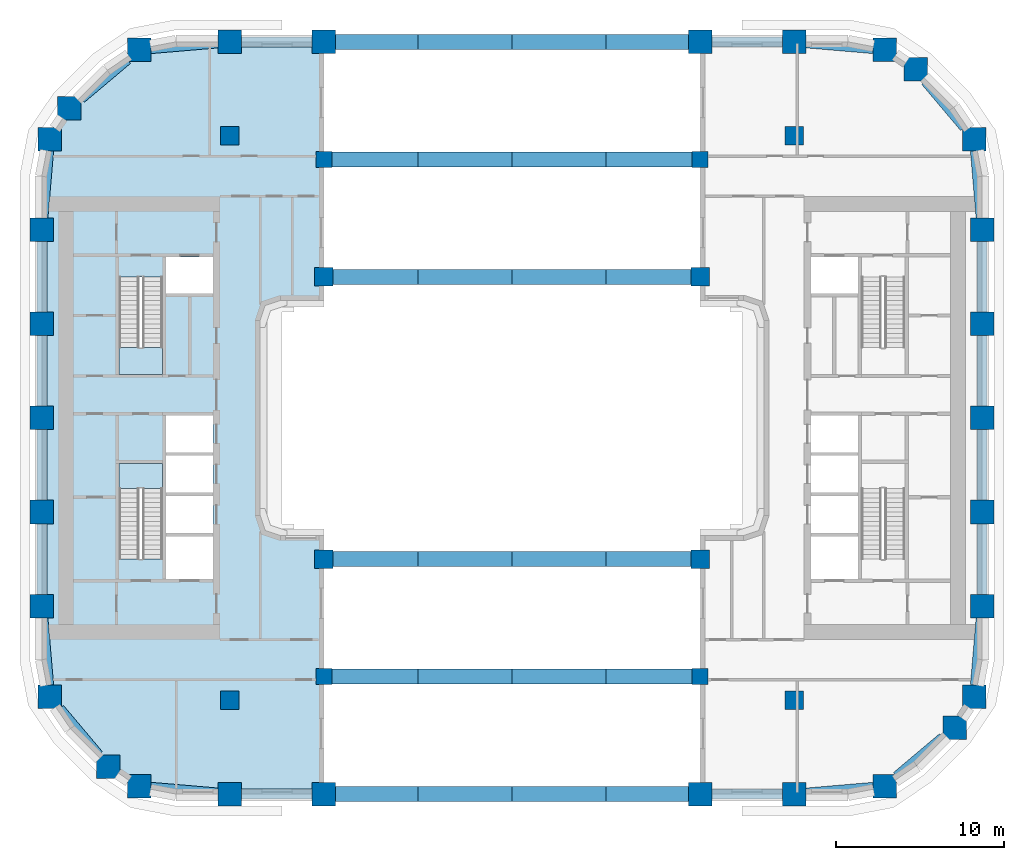
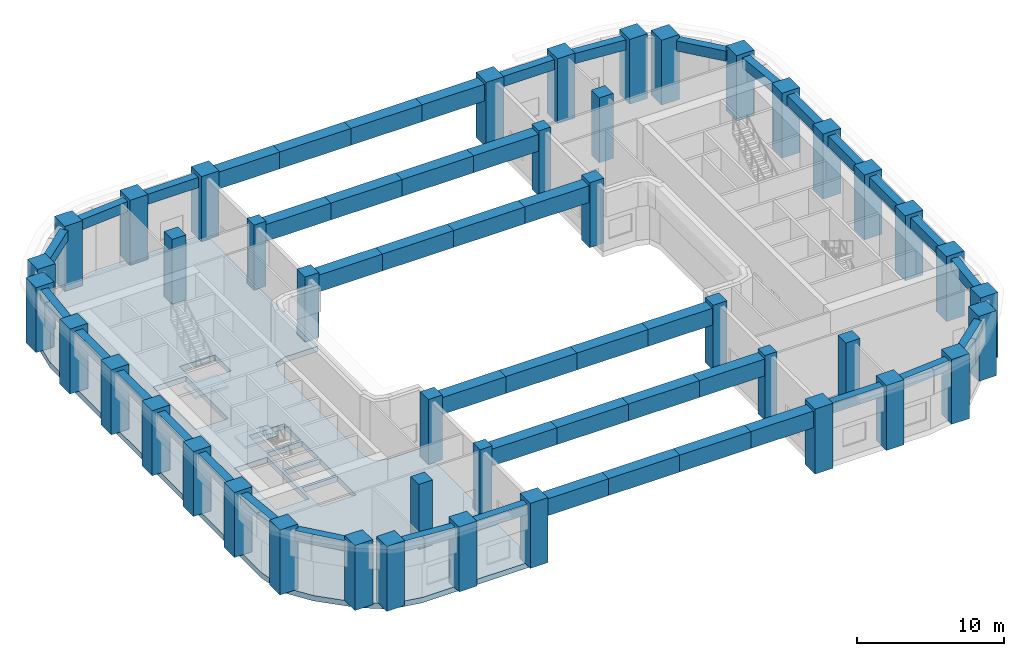
# One storey, part 1 of 14: 42 columns, 24 beams, 24 members, 3 slabs, 2 elements without a shape of their own.
"""IFC4 building model written with IfcOpenShell, lengths in metres."""

from ifc_helpers import new_model, si_unit, direction, frame, origin, origin_2d, place, context, subcontext, project, spatial, polyline, rectangle, hollow_rectangle, outline, extrude, material, layer, layer_set, material_profile, profile_set, type_object, element, aggregate, save


model = new_model("IFC4")

# Units and contexts
model_context = context("Model", 3, precision=1e-05, world=origin(), true_north=direction((0.0, 1.0)))
body_context = subcontext(model_context, "Body", "Model", "MODEL_VIEW")
ifc_project = project(units=[si_unit("LENGTHUNIT", "METRE"), si_unit("AREAUNIT", "SQUARE_METRE"), si_unit("VOLUMEUNIT", "CUBIC_METRE"), si_unit("PLANEANGLEUNIT", "RADIAN"), si_unit("MASSUNIT", "GRAM", prefix="KILO")], contexts=[model_context])

# Site, building, storey
site_placement = place(None, origin())
site = spatial("IfcSite", under=ifc_project, at=site_placement, CompositionType="ELEMENT")
building_placement = place(site_placement, origin())
building = spatial("IfcBuilding", under=site, at=building_placement, Name="Kiln Ring Residences", CompositionType="ELEMENT")
storey_placement = place(building_placement, frame((0.0, 0.0, 77.89990234375)))
storey = spatial("IfcBuildingStorey", under=building, at=storey_placement, Name="L19", CompositionType="ELEMENT", Elevation=77.89990234375)

# Columns
ifc_material_1 = material(Name="Concrete C80/95", Category="concrete")
ifc_material_profile_1 = material_profile(ifc_material_1, rectangle(XDim=0.949951171875, YDim=0.949951171875, at=origin_2d()), Name="RC950x950")
ifc_profile_set_1 = profile_set([ifc_material_profile_1], Name="Concrete C80/95")
column_type_1 = type_object("IfcColumnType", Name="Corridor column RC950x950 C80/95", PredefinedType="COLUMN", material=ifc_profile_set_1)
for number, where, z_axis, x_axis, name in (
    (1, (-11.199951171875, 15.39990234375, 0.0), (0.0, 0.0, 1.0), (1.0, 0.0, 0.0), "Corridor column L19 1"),
    (2, (11.199951171875, 15.39990234375, 0.0), (0.0, 0.0, 1.0), (1.0, 0.0, 0.0), "Corridor column L19 2"),
    (3, (-11.199951171875, -15.39990234375, 0.0), (0.0, 0.0, 1.0), (1.0, 0.0, 0.0), "Corridor column L19 3"),
    (4, (11.199951171875, -15.39990234375, 0.0), (0.0, 0.0, 1.0), (1.0, 0.0, 0.0), "Corridor column L19 4"),
):
    element("IfcColumn", number, at=place(storey_placement, frame(where, z_axis=z_axis, x_axis=x_axis)), inside=storey, type_object=column_type_1, Name=name, PredefinedType="COLUMN", context=body_context, shape_type="SweptSolid", body=[
        extrude(rectangle(XDim=0.949951171875, YDim=0.949951171875, at=origin_2d()), origin(), (0.0, 0.0, 1.0), 5.400146484375),
    ])
ifc_material_2 = material(Name="Concrete C80/95", Category="concrete")
ifc_material_profile_2 = material_profile(ifc_material_2, rectangle(XDim=1.39990234375, YDim=1.39990234375, at=origin_2d()), Name="RC1400x1400")
ifc_profile_set_2 = profile_set([ifc_material_profile_2], Name="Concrete C80/95")
column_type_2 = type_object("IfcColumnType", Name="Perimeter column RC1400x1400 C80/95", PredefinedType="COLUMN", material=ifc_profile_set_2)
for number, where, z_axis, x_axis, name in (
    (5, (-22.208740234375, -21.93798828125, 0.0), (0.0, 0.0, 1.0), (1.0, 0.0, 0.0), "Perimeter column L19 1"),
    (6, (-16.800048828125, -22.39990234375, 0.0), (0.0, 0.0, 1.0), (1.0, 0.0, 0.0), "Perimeter column L19 2"),
    (7, (-11.199951171875, -22.39990234375, 0.0), (0.0, 0.0, 1.0), (1.0, 0.0, 0.0), "Perimeter column L19 3"),
    (8, (11.199951171875, -22.39990234375, 0.0), (0.0, 0.0, 1.0), (1.0, 0.0, 0.0), "Perimeter column L19 4"),
    (9, (16.800048828125, -22.39990234375, 0.0), (0.0, 0.0, 1.0), (1.0, 0.0, 0.0), "Perimeter column L19 5"),
    (10, (22.208740234375, -21.93798828125, 0.0), (0.0, 0.0, 1.0), (1.0, 0.0, 0.0), "Perimeter column L19 6"),
    (11, (26.35986328125, -18.440185546875, 0.0), (0.0, 0.0, 1.0), (1.0, 0.0, 0.0), "Perimeter column L19 7"),
    (12, (27.5380859375, -16.608642578125, 0.0), (0.0, 0.0, 1.0), (1.0, 0.0, 0.0), "Perimeter column L19 8"),
    (13, (28.0, -11.199951171875, 0.0), (0.0, 0.0, 1.0), (1.0, 0.0, 0.0), "Perimeter column L19 9"),
    (14, (28.0, -5.60009765625, 0.0), (0.0, 0.0, 1.0), (1.0, 0.0, 0.0), "Perimeter column L19 10"),
    (15, (28.0, 0.0, 0.0), (0.0, 0.0, 1.0), (1.0, 0.0, 0.0), "Perimeter column L19 11"),
    (16, (28.0, 5.60009765625, 0.0), (0.0, 0.0, 1.0), (1.0, 0.0, 0.0), "Perimeter column L19 12"),
    (17, (28.0, 11.199951171875, 0.0), (0.0, 0.0, 1.0), (1.0, 0.0, 0.0), "Perimeter column L19 13"),
    (18, (27.5380859375, 16.608642578125, 0.0), (0.0, 0.0, 1.0), (1.0, 0.0, 0.0), "Perimeter column L19 14"),
    (19, (24.040283203125, 20.759765625, 0.0), (0.0, 0.0, 1.0), (1.0, 0.0, 0.0), "Perimeter column L19 15"),
    (20, (22.208740234375, 21.93798828125, 0.0), (0.0, 0.0, 1.0), (1.0, 0.0, 0.0), "Perimeter column L19 16"),
    (21, (16.800048828125, 22.39990234375, 0.0), (0.0, 0.0, 1.0), (1.0, 0.0, 0.0), "Perimeter column L19 17"),
    (22, (11.199951171875, 22.39990234375, 0.0), (0.0, 0.0, 1.0), (1.0, 0.0, 0.0), "Perimeter column L19 18"),
    (23, (-11.199951171875, 22.39990234375, 0.0), (0.0, 0.0, 1.0), (1.0, 0.0, 0.0), "Perimeter column L19 19"),
    (24, (-16.800048828125, 22.39990234375, 0.0), (0.0, 0.0, 1.0), (1.0, 0.0, 0.0), "Perimeter column L19 20"),
    (25, (-22.208740234375, 21.93798828125, 0.0), (0.0, 0.0, 1.0), (1.0, 0.0, 0.0), "Perimeter column L19 21"),
    (26, (-26.35986328125, 18.440185546875, 0.0), (0.0, 0.0, 1.0), (1.0, 0.0, 0.0), "Perimeter column L19 22"),
    (27, (-27.5380859375, 16.608642578125, 0.0), (0.0, 0.0, 1.0), (1.0, 0.0, 0.0), "Perimeter column L19 23"),
    (28, (-28.0, 11.199951171875, 0.0), (0.0, 0.0, 1.0), (1.0, 0.0, 0.0), "Perimeter column L19 24"),
    (29, (-28.0, 5.60009765625, 0.0), (0.0, 0.0, 1.0), (1.0, 0.0, 0.0), "Perimeter column L19 25"),
    (30, (-28.0, 0.0, 0.0), (0.0, 0.0, 1.0), (1.0, 0.0, 0.0), "Perimeter column L19 26"),
    (31, (-28.0, -5.60009765625, 0.0), (0.0, 0.0, 1.0), (1.0, 0.0, 0.0), "Perimeter column L19 27"),
    (32, (-28.0, -11.199951171875, 0.0), (0.0, 0.0, 1.0), (1.0, 0.0, 0.0), "Perimeter column L19 28"),
    (33, (-27.5380859375, -16.608642578125, 0.0), (0.0, 0.0, 1.0), (1.0, 0.0, 0.0), "Perimeter column L19 29"),
    (34, (-24.040283203125, -20.759765625, 0.0), (0.0, 0.0, 1.0), (1.0, 0.0, 0.0), "Perimeter column L19 30"),
):
    element("IfcColumn", number, at=place(storey_placement, frame(where, z_axis=z_axis, x_axis=x_axis)), inside=storey, type_object=column_type_2, Name=name, PredefinedType="COLUMN", context=body_context, shape_type="SweptSolid", body=[
        extrude(rectangle(XDim=1.39990234375, YDim=1.39990234375, at=origin_2d()), origin(), (0.0, 0.0, 1.0), 5.400146484375),
    ])
ifc_material_3 = material(Name="Concrete C80/95", Category="concrete")
ifc_material_profile_3 = material_profile(ifc_material_3, rectangle(XDim=1.10009765625, YDim=1.10009765625, at=origin_2d()), Name="RC1100x1100")
ifc_profile_set_3 = profile_set([ifc_material_profile_3], Name="Concrete C80/95")
column_type_3 = type_object("IfcColumnType", Name="Ring column RC1100x1100 C80/95", PredefinedType="COLUMN", material=ifc_profile_set_3)
for number, where, z_axis, x_axis, name in (
    (35, (-16.800048828125, -16.800048828125, 0.0), (0.0, 0.0, 1.0), (1.0, 0.0, 0.0), "Ring column L19 1"),
    (36, (-16.800048828125, 16.800048828125, 0.0), (0.0, 0.0, 1.0), (1.0, 0.0, 0.0), "Ring column L19 2"),
    (37, (16.800048828125, -16.800048828125, 0.0), (0.0, 0.0, 1.0), (1.0, 0.0, 0.0), "Ring column L19 3"),
    (38, (16.800048828125, 16.800048828125, 0.0), (0.0, 0.0, 1.0), (1.0, 0.0, 0.0), "Ring column L19 4"),
    (39, (-11.199951171875, -8.39990234375, 0.0), (0.0, 0.0, 1.0), (1.0, 0.0, 0.0), "Ring column L19 5"),
    (40, (-11.199951171875, 8.39990234375, 0.0), (0.0, 0.0, 1.0), (1.0, 0.0, 0.0), "Ring column L19 6"),
    (41, (11.199951171875, -8.39990234375, 0.0), (0.0, 0.0, 1.0), (1.0, 0.0, 0.0), "Ring column L19 7"),
    (42, (11.199951171875, 8.39990234375, 0.0), (0.0, 0.0, 1.0), (1.0, 0.0, 0.0), "Ring column L19 8"),
):
    element("IfcColumn", number, at=place(storey_placement, frame(where, z_axis=z_axis, x_axis=x_axis)), inside=storey, type_object=column_type_3, Name=name, PredefinedType="COLUMN", context=body_context, shape_type="SweptSolid", body=[
        extrude(rectangle(XDim=1.10009765625, YDim=1.10009765625, at=origin_2d()), origin(), (0.0, 0.0, 1.0), 5.400146484375),
    ])

# Members
ifc_material_4 = material(Name="Steel S460", Category="steel")
ifc_material_profile_4 = material_profile(ifc_material_4, hollow_rectangle(XDim=0.89990234375, YDim=1.39990234375, WallThickness=0.080078125, at=origin_2d()), Name="BOX1400x900x80")
ifc_profile_set_4 = profile_set([ifc_material_profile_4], Name="Steel S460")
member_type = type_object("IfcMemberType", Name="Bridge truss chord BOX1400x900x80 S460", PredefinedType="CHORD", material=ifc_profile_set_4)
member_1_placement = place(storey_placement, frame((-10.5, -22.39990234375, 4.400146484375), z_axis=(1.0, 0.0, 0.0), x_axis=(0.0, 1.0, 0.0)))
element("IfcMember", 43, at=member_1_placement, inside=storey, type_object=member_type, Name="Bridge truss chord L19 1", PredefinedType="CHORD", context=body_context, shape_type="SweptSolid", body=[
    extrude(hollow_rectangle(XDim=0.89990234375, YDim=1.39990234375, WallThickness=0.080078125, at=origin_2d()), origin(), (0.0, 0.0, 1.0), 4.89990234375),
])
for number, where, z_axis, x_axis, name in (
    (44, (-5.60009765625, -22.39990234375, 4.400146484375), (1.0, 0.0, 0.0), (0.0, 1.0, 0.0), "Bridge truss chord L19 2"),
    (45, (0.0, -22.39990234375, 4.400146484375), (1.0, 0.0, 0.0), (0.0, 1.0, 0.0), "Bridge truss chord L19 3"),
):
    element("IfcMember", number, at=place(storey_placement, frame(where, z_axis=z_axis, x_axis=x_axis)), inside=storey, type_object=member_type, Name=name, PredefinedType="CHORD", context=body_context, shape_type="SweptSolid", body=[
        extrude(hollow_rectangle(XDim=0.89990234375, YDim=1.39990234375, WallThickness=0.080078125, at=origin_2d()), origin(), (0.0, 0.0, 1.0), 5.60009765625),
    ])
member_2_placement = place(storey_placement, frame((5.60009765625, -22.39990234375, 4.400146484375), z_axis=(1.0, 0.0, 0.0), x_axis=(0.0, 1.0, 0.0)))
element("IfcMember", 46, at=member_2_placement, inside=storey, type_object=member_type, Name="Bridge truss chord L19 4", PredefinedType="CHORD", context=body_context, shape_type="SweptSolid", body=[
    extrude(hollow_rectangle(XDim=0.89990234375, YDim=1.39990234375, WallThickness=0.080078125, at=origin_2d()), origin(), (0.0, 0.0, 1.0), 4.89990234375),
])
member_3_placement = place(storey_placement, frame((-10.72509765625, -15.39990234375, 4.400146484375), z_axis=(1.0, 0.0, 0.0), x_axis=(0.0, 1.0, 0.0)))
element("IfcMember", 47, at=member_3_placement, inside=storey, type_object=member_type, Name="Bridge truss chord L19 5", PredefinedType="CHORD", context=body_context, shape_type="SweptSolid", body=[
    extrude(hollow_rectangle(XDim=0.89990234375, YDim=1.39990234375, WallThickness=0.080078125, at=origin_2d()), origin(), (0.0, 0.0, 1.0), 5.125),
])
for number, where, z_axis, x_axis, name in (
    (48, (-5.60009765625, -15.39990234375, 4.400146484375), (1.0, 0.0, 0.0), (0.0, 1.0, 0.0), "Bridge truss chord L19 6"),
    (49, (0.0, -15.39990234375, 4.400146484375), (1.0, 0.0, 0.0), (0.0, 1.0, 0.0), "Bridge truss chord L19 7"),
):
    element("IfcMember", number, at=place(storey_placement, frame(where, z_axis=z_axis, x_axis=x_axis)), inside=storey, type_object=member_type, Name=name, PredefinedType="CHORD", context=body_context, shape_type="SweptSolid", body=[
        extrude(hollow_rectangle(XDim=0.89990234375, YDim=1.39990234375, WallThickness=0.080078125, at=origin_2d()), origin(), (0.0, 0.0, 1.0), 5.60009765625),
    ])
member_4_placement = place(storey_placement, frame((5.60009765625, -15.39990234375, 4.400146484375), z_axis=(1.0, 0.0, 0.0), x_axis=(0.0, 1.0, 0.0)))
element("IfcMember", 50, at=member_4_placement, inside=storey, type_object=member_type, Name="Bridge truss chord L19 8", PredefinedType="CHORD", context=body_context, shape_type="SweptSolid", body=[
    extrude(hollow_rectangle(XDim=0.89990234375, YDim=1.39990234375, WallThickness=0.080078125, at=origin_2d()), origin(), (0.0, 0.0, 1.0), 5.125),
])
member_5_placement = place(storey_placement, frame((-10.64990234375, -8.39990234375, 4.400146484375), z_axis=(1.0, 0.0, 0.0), x_axis=(0.0, 1.0, 0.0)))
element("IfcMember", 51, at=member_5_placement, inside=storey, type_object=member_type, Name="Bridge truss chord L19 9", PredefinedType="CHORD", context=body_context, shape_type="SweptSolid", body=[
    extrude(hollow_rectangle(XDim=0.89990234375, YDim=1.39990234375, WallThickness=0.080078125, at=origin_2d()), origin(), (0.0, 0.0, 1.0), 5.0498046875),
])
for number, where, z_axis, x_axis, name in (
    (52, (-5.60009765625, -8.39990234375, 4.400146484375), (1.0, 0.0, 0.0), (0.0, 1.0, 0.0), "Bridge truss chord L19 10"),
    (53, (0.0, -8.39990234375, 4.400146484375), (1.0, 0.0, 0.0), (0.0, 1.0, 0.0), "Bridge truss chord L19 11"),
):
    element("IfcMember", number, at=place(storey_placement, frame(where, z_axis=z_axis, x_axis=x_axis)), inside=storey, type_object=member_type, Name=name, PredefinedType="CHORD", context=body_context, shape_type="SweptSolid", body=[
        extrude(hollow_rectangle(XDim=0.89990234375, YDim=1.39990234375, WallThickness=0.080078125, at=origin_2d()), origin(), (0.0, 0.0, 1.0), 5.60009765625),
    ])
member_6_placement = place(storey_placement, frame((5.60009765625, -8.39990234375, 4.400146484375), z_axis=(1.0, 0.0, 0.0), x_axis=(0.0, 1.0, 0.0)))
element("IfcMember", 54, at=member_6_placement, inside=storey, type_object=member_type, Name="Bridge truss chord L19 12", PredefinedType="CHORD", context=body_context, shape_type="SweptSolid", body=[
    extrude(hollow_rectangle(XDim=0.89990234375, YDim=1.39990234375, WallThickness=0.080078125, at=origin_2d()), origin(), (0.0, 0.0, 1.0), 5.0498046875),
])
member_7_placement = place(storey_placement, frame((-10.5, 22.39990234375, 4.400146484375), z_axis=(1.0, 0.0, 0.0), x_axis=(0.0, 1.0, 0.0)))
element("IfcMember", 55, at=member_7_placement, inside=storey, type_object=member_type, Name="Bridge truss chord L19 13", PredefinedType="CHORD", context=body_context, shape_type="SweptSolid", body=[
    extrude(hollow_rectangle(XDim=0.89990234375, YDim=1.39990234375, WallThickness=0.080078125, at=origin_2d()), origin(), (0.0, 0.0, 1.0), 4.89990234375),
])
for number, where, z_axis, x_axis, name in (
    (56, (-5.60009765625, 22.39990234375, 4.400146484375), (1.0, 0.0, 0.0), (0.0, 1.0, 0.0), "Bridge truss chord L19 14"),
    (57, (0.0, 22.39990234375, 4.400146484375), (1.0, 0.0, 0.0), (0.0, 1.0, 0.0), "Bridge truss chord L19 15"),
):
    element("IfcMember", number, at=place(storey_placement, frame(where, z_axis=z_axis, x_axis=x_axis)), inside=storey, type_object=member_type, Name=name, PredefinedType="CHORD", context=body_context, shape_type="SweptSolid", body=[
        extrude(hollow_rectangle(XDim=0.89990234375, YDim=1.39990234375, WallThickness=0.080078125, at=origin_2d()), origin(), (0.0, 0.0, 1.0), 5.60009765625),
    ])
member_8_placement = place(storey_placement, frame((5.60009765625, 22.39990234375, 4.400146484375), z_axis=(1.0, 0.0, 0.0), x_axis=(0.0, 1.0, 0.0)))
element("IfcMember", 58, at=member_8_placement, inside=storey, type_object=member_type, Name="Bridge truss chord L19 16", PredefinedType="CHORD", context=body_context, shape_type="SweptSolid", body=[
    extrude(hollow_rectangle(XDim=0.89990234375, YDim=1.39990234375, WallThickness=0.080078125, at=origin_2d()), origin(), (0.0, 0.0, 1.0), 4.89990234375),
])
member_9_placement = place(storey_placement, frame((-10.72509765625, 15.39990234375, 4.400146484375), z_axis=(1.0, 0.0, 0.0), x_axis=(0.0, 1.0, 0.0)))
element("IfcMember", 59, at=member_9_placement, inside=storey, type_object=member_type, Name="Bridge truss chord L19 17", PredefinedType="CHORD", context=body_context, shape_type="SweptSolid", body=[
    extrude(hollow_rectangle(XDim=0.89990234375, YDim=1.39990234375, WallThickness=0.080078125, at=origin_2d()), origin(), (0.0, 0.0, 1.0), 5.125),
])
for number, where, z_axis, x_axis, name in (
    (60, (-5.60009765625, 15.39990234375, 4.400146484375), (1.0, 0.0, 0.0), (0.0, 1.0, 0.0), "Bridge truss chord L19 18"),
    (61, (0.0, 15.39990234375, 4.400146484375), (1.0, 0.0, 0.0), (0.0, 1.0, 0.0), "Bridge truss chord L19 19"),
):
    element("IfcMember", number, at=place(storey_placement, frame(where, z_axis=z_axis, x_axis=x_axis)), inside=storey, type_object=member_type, Name=name, PredefinedType="CHORD", context=body_context, shape_type="SweptSolid", body=[
        extrude(hollow_rectangle(XDim=0.89990234375, YDim=1.39990234375, WallThickness=0.080078125, at=origin_2d()), origin(), (0.0, 0.0, 1.0), 5.60009765625),
    ])
member_10_placement = place(storey_placement, frame((5.60009765625, 15.39990234375, 4.400146484375), z_axis=(1.0, 0.0, 0.0), x_axis=(0.0, 1.0, 0.0)))
element("IfcMember", 62, at=member_10_placement, inside=storey, type_object=member_type, Name="Bridge truss chord L19 20", PredefinedType="CHORD", context=body_context, shape_type="SweptSolid", body=[
    extrude(hollow_rectangle(XDim=0.89990234375, YDim=1.39990234375, WallThickness=0.080078125, at=origin_2d()), origin(), (0.0, 0.0, 1.0), 5.125),
])
member_11_placement = place(storey_placement, frame((-10.64990234375, 8.39990234375, 4.400146484375), z_axis=(1.0, 0.0, 0.0), x_axis=(0.0, 1.0, 0.0)))
element("IfcMember", 63, at=member_11_placement, inside=storey, type_object=member_type, Name="Bridge truss chord L19 21", PredefinedType="CHORD", context=body_context, shape_type="SweptSolid", body=[
    extrude(hollow_rectangle(XDim=0.89990234375, YDim=1.39990234375, WallThickness=0.080078125, at=origin_2d()), origin(), (0.0, 0.0, 1.0), 5.0498046875),
])
for number, where, z_axis, x_axis, name in (
    (64, (-5.60009765625, 8.39990234375, 4.400146484375), (1.0, 0.0, 0.0), (0.0, 1.0, 0.0), "Bridge truss chord L19 22"),
    (65, (0.0, 8.39990234375, 4.400146484375), (1.0, 0.0, 0.0), (0.0, 1.0, 0.0), "Bridge truss chord L19 23"),
):
    element("IfcMember", number, at=place(storey_placement, frame(where, z_axis=z_axis, x_axis=x_axis)), inside=storey, type_object=member_type, Name=name, PredefinedType="CHORD", context=body_context, shape_type="SweptSolid", body=[
        extrude(hollow_rectangle(XDim=0.89990234375, YDim=1.39990234375, WallThickness=0.080078125, at=origin_2d()), origin(), (0.0, 0.0, 1.0), 5.60009765625),
    ])
member_12_placement = place(storey_placement, frame((5.60009765625, 8.39990234375, 4.400146484375), z_axis=(1.0, 0.0, 0.0), x_axis=(0.0, 1.0, 0.0)))
element("IfcMember", 66, at=member_12_placement, inside=storey, type_object=member_type, Name="Bridge truss chord L19 24", PredefinedType="CHORD", context=body_context, shape_type="SweptSolid", body=[
    extrude(hollow_rectangle(XDim=0.89990234375, YDim=1.39990234375, WallThickness=0.080078125, at=origin_2d()), origin(), (0.0, 0.0, 1.0), 5.0498046875),
])

# Beams
ifc_material_5 = material(Name="Concrete C50/60", Category="concrete")
ifc_material_profile_5 = material_profile(ifc_material_5, rectangle(XDim=0.60009765625, YDim=0.85009765625, at=origin_2d()), Name="RC600x850")
ifc_profile_set_5 = profile_set([ifc_material_profile_5], Name="Concrete C50/60")
beam_type = type_object("IfcBeamType", Name="Spandrel beam RC600x850 C50/60", PredefinedType="SPANDREL", material=ifc_profile_set_5)
beam_1_placement = place(storey_placement, frame((-21.5087890625, -21.997802734375, 4.675048828125), z_axis=(0.996369479058, -0.085134371444, 0.0), x_axis=(0.085134371444, 0.996369479058, 0.0)))
element("IfcBeam", 67, at=beam_1_placement, inside=storey, type_object=beam_type, Name="Spandrel beam L19 1", PredefinedType="SPANDREL", context=body_context, shape_type="SweptSolid", body=[
    extrude(rectangle(XDim=0.60009765625, YDim=0.85009765625, at=origin_2d()), origin(), (0.0, 0.0, 1.0), 4.0234375),
])
for number, where, z_axis, x_axis, name in (
    (68, (-16.10009765625, -22.39990234375, 4.675048828125), (1.0, 0.0, 0.0), (0.0, 1.0, 0.0), "Spandrel beam L19 2"),
    (69, (11.89990234375, -22.39990234375, 4.675048828125), (1.0, 0.0, 0.0), (0.0, 1.0, 0.0), "Spandrel beam L19 3"),
):
    element("IfcBeam", number, at=place(storey_placement, frame(where, z_axis=z_axis, x_axis=x_axis)), inside=storey, type_object=beam_type, Name=name, PredefinedType="SPANDREL", context=body_context, shape_type="SweptSolid", body=[
        extrude(rectangle(XDim=0.60009765625, YDim=0.85009765625, at=origin_2d()), origin(), (0.0, 0.0, 1.0), 4.2001953125),
    ])
beam_2_placement = place(storey_placement, frame((17.5, -22.34033203125, 4.675048828125), z_axis=(0.996369479058, 0.085134371444, 0.0), x_axis=(-0.085134371444, 0.996369479058, 0.0)))
element("IfcBeam", 70, at=beam_2_placement, inside=storey, type_object=beam_type, Name="Spandrel beam L19 4", PredefinedType="SPANDREL", context=body_context, shape_type="SweptSolid", body=[
    extrude(rectangle(XDim=0.60009765625, YDim=0.85009765625, at=origin_2d()), origin(), (0.0, 0.0, 1.0), 4.0234375),
])
beam_3_placement = place(storey_placement, frame((22.90869140625, -21.34814453125, 4.675048828125), z_axis=(0.764733430751, 0.644346785428, 0.0), x_axis=(-0.644346785428, 0.764733430751, 0.0)))
element("IfcBeam", 71, at=beam_3_placement, inside=storey, type_object=beam_type, Name="Spandrel beam L19 5", PredefinedType="SPANDREL", context=body_context, shape_type="SweptSolid", body=[
    extrude(rectangle(XDim=0.60009765625, YDim=0.85009765625, at=origin_2d()), origin(), (0.0, 0.0, 1.0), 3.59765625),
])
beam_4_placement = place(storey_placement, frame((27.597900390625, -15.90869140625, 4.675048828125), z_axis=(0.085074130543, 0.996374624482, 0.0), x_axis=(-0.996374624482, 0.085074130543, 0.0)))
element("IfcBeam", 72, at=beam_4_placement, inside=storey, type_object=beam_type, Name="Spandrel beam L19 6", PredefinedType="SPANDREL", context=body_context, shape_type="SweptSolid", body=[
    extrude(rectangle(XDim=0.60009765625, YDim=0.85009765625, at=origin_2d()), origin(), (0.0, 0.0, 1.0), 4.0234375),
])
for number, where, z_axis, x_axis, name in (
    (73, (28.0, -10.5, 4.675048828125), (0.0, 1.0, 0.0), (-1.0, 0.0, 0.0), "Spandrel beam L19 7"),
    (74, (28.0, -4.89990234375, 4.675048828125), (0.0, 1.0, 0.0), (-1.0, 0.0, 0.0), "Spandrel beam L19 8"),
    (75, (28.0, 0.699951171875, 4.675048828125), (0.0, 1.0, 0.0), (-1.0, 0.0, 0.0), "Spandrel beam L19 9"),
    (76, (28.0, 6.300048828125, 4.675048828125), (0.0, 1.0, 0.0), (-1.0, 0.0, 0.0), "Spandrel beam L19 10"),
):
    element("IfcBeam", number, at=place(storey_placement, frame(where, z_axis=z_axis, x_axis=x_axis)), inside=storey, type_object=beam_type, Name=name, PredefinedType="SPANDREL", context=body_context, shape_type="SweptSolid", body=[
        extrude(rectangle(XDim=0.60009765625, YDim=0.85009765625, at=origin_2d()), origin(), (0.0, 0.0, 1.0), 4.199951171875),
    ])
beam_5_placement = place(storey_placement, frame((27.940185546875, 11.89990234375, 4.675048828125), z_axis=(-0.085074130543, 0.996374624482, 0.0), x_axis=(-0.996374624482, -0.085074130543, 0.0)))
element("IfcBeam", 77, at=beam_5_placement, inside=storey, type_object=beam_type, Name="Spandrel beam L19 11", PredefinedType="SPANDREL", context=body_context, shape_type="SweptSolid", body=[
    extrude(rectangle(XDim=0.60009765625, YDim=0.85009765625, at=origin_2d()), origin(), (0.0, 0.0, 1.0), 4.0234375),
])
beam_6_placement = place(storey_placement, frame((26.9482421875, 17.30859375, 4.675048828125), z_axis=(-0.644346785428, 0.764733430751, 0.0), x_axis=(-0.764733430751, -0.644346785428, 0.0)))
element("IfcBeam", 78, at=beam_6_placement, inside=storey, type_object=beam_type, Name="Spandrel beam L19 12", PredefinedType="SPANDREL", context=body_context, shape_type="SweptSolid", body=[
    extrude(rectangle(XDim=0.60009765625, YDim=0.85009765625, at=origin_2d()), origin(), (0.0, 0.0, 1.0), 3.59765625),
])
beam_7_placement = place(storey_placement, frame((21.5087890625, 21.997802734375, 4.675048828125), z_axis=(-0.996369479058, 0.085134371444, 0.0), x_axis=(-0.085134371444, -0.996369479058, 0.0)))
element("IfcBeam", 79, at=beam_7_placement, inside=storey, type_object=beam_type, Name="Spandrel beam L19 13", PredefinedType="SPANDREL", context=body_context, shape_type="SweptSolid", body=[
    extrude(rectangle(XDim=0.60009765625, YDim=0.85009765625, at=origin_2d()), origin(), (0.0, 0.0, 1.0), 4.0234375),
])
for number, where, z_axis, x_axis, name in (
    (80, (16.10009765625, 22.39990234375, 4.675048828125), (-1.0, 0.0, 0.0), (0.0, -1.0, 0.0), "Spandrel beam L19 14"),
    (81, (-11.89990234375, 22.39990234375, 4.675048828125), (-1.0, 0.0, 0.0), (0.0, -1.0, 0.0), "Spandrel beam L19 15"),
):
    element("IfcBeam", number, at=place(storey_placement, frame(where, z_axis=z_axis, x_axis=x_axis)), inside=storey, type_object=beam_type, Name=name, PredefinedType="SPANDREL", context=body_context, shape_type="SweptSolid", body=[
        extrude(rectangle(XDim=0.60009765625, YDim=0.85009765625, at=origin_2d()), origin(), (0.0, 0.0, 1.0), 4.2001953125),
    ])
beam_8_placement = place(storey_placement, frame((-17.5, 22.34033203125, 4.675048828125), z_axis=(-0.996369479058, -0.085134371444, 0.0), x_axis=(0.085134371444, -0.996369479058, 0.0)))
element("IfcBeam", 82, at=beam_8_placement, inside=storey, type_object=beam_type, Name="Spandrel beam L19 16", PredefinedType="SPANDREL", context=body_context, shape_type="SweptSolid", body=[
    extrude(rectangle(XDim=0.60009765625, YDim=0.85009765625, at=origin_2d()), origin(), (0.0, 0.0, 1.0), 4.0234375),
])
beam_9_placement = place(storey_placement, frame((-22.90869140625, 21.34814453125, 4.675048828125), z_axis=(-0.764733430751, -0.644346785428, 0.0), x_axis=(0.644346785428, -0.764733430751, 0.0)))
element("IfcBeam", 83, at=beam_9_placement, inside=storey, type_object=beam_type, Name="Spandrel beam L19 17", PredefinedType="SPANDREL", context=body_context, shape_type="SweptSolid", body=[
    extrude(rectangle(XDim=0.60009765625, YDim=0.85009765625, at=origin_2d()), origin(), (0.0, 0.0, 1.0), 3.59765625),
])
beam_10_placement = place(storey_placement, frame((-27.597900390625, 15.90869140625, 4.675048828125), z_axis=(-0.085074130543, -0.996374624482, 0.0), x_axis=(0.996374624482, -0.085074130543, 0.0)))
element("IfcBeam", 84, at=beam_10_placement, inside=storey, type_object=beam_type, Name="Spandrel beam L19 18", PredefinedType="SPANDREL", context=body_context, shape_type="SweptSolid", body=[
    extrude(rectangle(XDim=0.60009765625, YDim=0.85009765625, at=origin_2d()), origin(), (0.0, 0.0, 1.0), 4.0234375),
])
for number, where, z_axis, x_axis, name in (
    (85, (-28.0, 10.5, 4.675048828125), (0.0, -1.0, 0.0), (1.0, 0.0, 0.0), "Spandrel beam L19 19"),
    (86, (-28.0, 4.89990234375, 4.675048828125), (0.0, -1.0, 0.0), (1.0, 0.0, 0.0), "Spandrel beam L19 20"),
    (87, (-28.0, -0.699951171875, 4.675048828125), (0.0, -1.0, 0.0), (1.0, 0.0, 0.0), "Spandrel beam L19 21"),
    (88, (-28.0, -6.300048828125, 4.675048828125), (0.0, -1.0, 0.0), (1.0, 0.0, 0.0), "Spandrel beam L19 22"),
):
    element("IfcBeam", number, at=place(storey_placement, frame(where, z_axis=z_axis, x_axis=x_axis)), inside=storey, type_object=beam_type, Name=name, PredefinedType="SPANDREL", context=body_context, shape_type="SweptSolid", body=[
        extrude(rectangle(XDim=0.60009765625, YDim=0.85009765625, at=origin_2d()), origin(), (0.0, 0.0, 1.0), 4.199951171875),
    ])
beam_11_placement = place(storey_placement, frame((-27.940185546875, -11.89990234375, 4.675048828125), z_axis=(0.085074130543, -0.996374624482, 0.0), x_axis=(0.996374624482, 0.085074130543, 0.0)))
element("IfcBeam", 89, at=beam_11_placement, inside=storey, type_object=beam_type, Name="Spandrel beam L19 23", PredefinedType="SPANDREL", context=body_context, shape_type="SweptSolid", body=[
    extrude(rectangle(XDim=0.60009765625, YDim=0.85009765625, at=origin_2d()), origin(), (0.0, 0.0, 1.0), 4.0234375),
])
beam_12_placement = place(storey_placement, frame((-26.9482421875, -17.30859375, 4.675048828125), z_axis=(0.644346785428, -0.764733430751, 0.0), x_axis=(0.764733430751, 0.644346785428, 0.0)))
element("IfcBeam", 90, at=beam_12_placement, inside=storey, type_object=beam_type, Name="Spandrel beam L19 24", PredefinedType="SPANDREL", context=body_context, shape_type="SweptSolid", body=[
    extrude(rectangle(XDim=0.60009765625, YDim=0.85009765625, at=origin_2d()), origin(), (0.0, 0.0, 1.0), 3.59765625),
])

# Stair, slab
ifc_material_6 = material(Name="Concrete C40/50", Category="concrete")
stair_type = type_object("IfcStairType", Name="CORE-STAIR", PredefinedType="HALF_TURN_STAIR", material=ifc_material_6)
placement_1 = place(storey_placement, origin())
stair_1 = element("IfcStair", 91, at=placement_1, inside=storey, type_object=stair_type, Name="L19 stair W-STN", PredefinedType="HALF_TURN_STAIR")
ifc_material_7 = material(Name="Concrete C40/50", Category="concrete")
ifc_layer_1 = layer(ifc_material_7, 0.199951171875)
ifc_layer_set_1 = layer_set([ifc_layer_1], Name="CORE-STAIR-LANDING")
slab_type_1 = type_object("IfcSlabType", Name="CORE-STAIR-LANDING", PredefinedType="LANDING", material=ifc_layer_set_1)
placement_2 = place(storey_placement, frame((0.0, 0.0, 2.5)))
slab_1 = element("IfcSlab", 92, at=placement_2, type_object=slab_type_1, Name="W-STN landing 1", PredefinedType="LANDING", context=body_context, shape_type="SweptSolid", body=[
    extrude(outline(polyline([(-23.39990234375, 4.199951171875), (-23.39990234375, 2.60009765625), (-20.800048828125, 2.60009765625), (-20.800048828125, 4.199951171875), (-23.39990234375, 4.199951171875)])), origin(), (0.0, 0.0, 1.0), 0.2001953125),
])
aggregate(stair_1, [slab_1])

stair_2 = element("IfcStair", 93, at=placement_1, inside=storey, type_object=stair_type, Name="L19 stair W-STS", PredefinedType="HALF_TURN_STAIR")
slab_2 = element("IfcSlab", 94, at=placement_2, type_object=slab_type_1, Name="W-STS landing 1", PredefinedType="LANDING", context=body_context, shape_type="SweptSolid", body=[
    extrude(outline(polyline([(-20.800048828125, -4.199951171875), (-20.800048828125, -2.699951171875), (-23.39990234375, -2.699951171875), (-23.39990234375, -4.199951171875), (-20.800048828125, -4.199951171875)])), origin(), (0.0, 0.0, 1.0), 0.2001953125),
])
aggregate(stair_2, [slab_2])

# Slab
ifc_material_8 = material(Name="Concrete C40/50", Category="concrete")
ifc_layer_2 = layer(ifc_material_8, 0.449951171875)
ifc_layer_set_2 = layer_set([ifc_layer_2], Name="Floor slab 450")
slab_type_2 = type_object("IfcSlabType", Name="Floor slab 450", PredefinedType="FLOOR", material=ifc_layer_set_2)
slab_3_placement = place(storey_placement, frame((0.0, 0.0, -0.449951171875)))
element("IfcSlab", 95, at=slab_3_placement, inside=storey, type_object=slab_type_2, Name="Floor slab L19 1", PredefinedType="FLOOR", context=body_context, shape_type="SweptSolid", body=[
    extrude(outline(polyline([(-28.0, -14.39990234375), (-27.57568359375, -16.624267578125), (-26.302978515625, -18.4970703125), (-24.09716796875, -20.702880859375), (-22.224365234375, -21.975830078125), (-20.0, -22.39990234375), (-11.199951171875, -22.39990234375), (-11.199951171875, -7.0), (-13.800048828125, -7.0), (-14.699951171875, -6.699951171875), (-15.0, -5.800048828125), (-15.0, 5.800048828125), (-14.699951171875, 6.699951171875), (-13.800048828125, 7.0), (-11.199951171875, 7.0), (-11.199951171875, 22.39990234375), (-20.0, 22.39990234375), (-22.224365234375, 21.975830078125), (-24.09716796875, 20.702880859375), (-26.302978515625, 18.4970703125), (-27.57568359375, 16.624267578125), (-28.0, 14.39990234375), (-28.0, -14.39990234375)]), holes=[polyline([(-17.800048828125, -7.050048828125), (-17.800048828125, -9.60009765625), (-20.60009765625, -9.60009765625), (-20.60009765625, -7.050048828125), (-17.800048828125, -7.050048828125)]), polyline([(-17.800048828125, -6.85009765625), (-20.60009765625, -6.85009765625), (-20.60009765625, -4.64990234375), (-17.800048828125, -4.64990234375), (-17.800048828125, -6.85009765625)]), polyline([(-17.800048828125, -4.449951171875), (-20.60009765625, -4.449951171875), (-20.60009765625, -2.25), (-17.800048828125, -2.25), (-17.800048828125, -4.449951171875)]), polyline([(-17.800048828125, -2.050048828125), (-20.60009765625, -2.050048828125), (-20.60009765625, 0.14990234375), (-17.800048828125, 0.14990234375), (-17.800048828125, -2.050048828125)]), polyline([(-17.800048828125, 7.39990234375), (-20.60009765625, 7.39990234375), (-20.60009765625, 9.60009765625), (-17.800048828125, 9.60009765625), (-17.800048828125, 7.39990234375)]), polyline([(-20.800048828125, -8.39794921875), (-23.39990234375, -8.39794921875), (-23.39990234375, -2.699951171875), (-20.800048828125, -2.699951171875), (-20.800048828125, -8.39794921875)]), polyline([(-20.800048828125, 2.60009765625), (-23.39990234375, 2.60009765625), (-23.39990234375, 8.39794921875), (-20.800048828125, 8.39794921875), (-20.800048828125, 2.60009765625)])]), origin(), (0.0, 0.0, 1.0), 0.449951171875),
])

save(model, "model.ifc")
